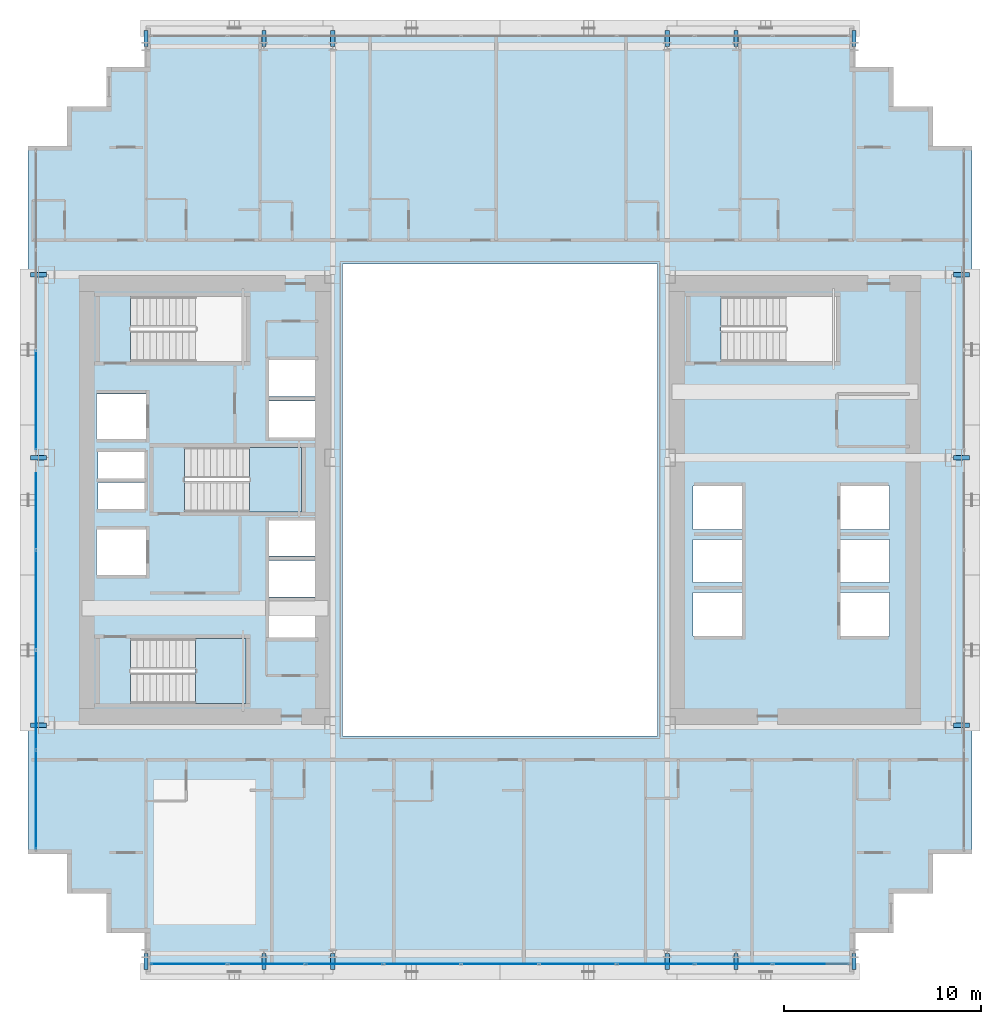
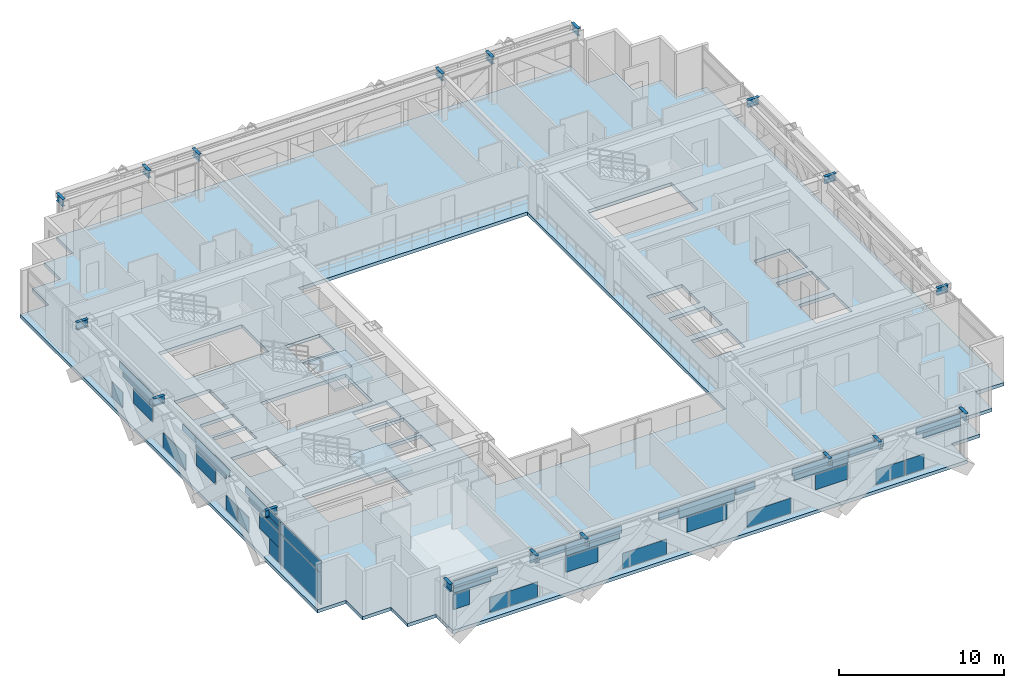
# One storey, part 23 of 35: 40 plates, 18 beams, 3 slabs, 4 elements without a shape of their own.
"""IFC4 building model written with IfcOpenShell, lengths in metres."""

from ifc_helpers import new_model, si_unit, direction, frame, origin, origin_2d, place, context, subcontext, project, spatial, polyline, rectangle, i_section, outline, extrude, source, transform, mapped, material, layer, layer_set, material_profile, profile_set, type_object, element, aggregate, save


model = new_model("IFC4")

# Units and contexts
model_context = context("Model", 3, precision=1e-05, world=origin(), true_north=direction((0.0, 1.0)))
body_context = subcontext(model_context, "Body", "Model", "MODEL_VIEW")
ifc_project = project(units=[si_unit("LENGTHUNIT", "METRE"), si_unit("AREAUNIT", "SQUARE_METRE"), si_unit("VOLUMEUNIT", "CUBIC_METRE"), si_unit("PLANEANGLEUNIT", "RADIAN"), si_unit("MASSUNIT", "GRAM", prefix="KILO")], contexts=[model_context])

# Site, building, storey
site_placement = place(None, origin())
site = spatial("IfcSite", under=ifc_project, at=site_placement, CompositionType="ELEMENT")
building_placement = place(site_placement, origin())
building = spatial("IfcBuilding", under=site, at=building_placement, Name="Ocotamira Hotel", CompositionType="ELEMENT")
storey_placement = place(building_placement, frame((0.0, 0.0, 49.199951171875)))
storey = spatial("IfcBuildingStorey", under=building, at=storey_placement, Name="L11", CompositionType="ELEMENT", Elevation=49.199951171875)

# Beams
ifc_material_1 = material(Name="Steel ASTM A992 Grade 50", Category="steel")
ifc_material_profile = material_profile(ifc_material_1, i_section(OverallWidth=0.2099609375, OverallDepth=0.537109375, WebThickness=0.010986328125, FlangeThickness=0.017333984375, FilletRadius=0.012939453125, at=origin_2d()), Name="W21X68")
ifc_profile_set = profile_set([ifc_material_profile], Name="Steel ASTM A992 Grade 50")
beam_type = type_object("IfcBeamType", Name="BM-SEC-W21X68", PredefinedType="JOIST", material=ifc_profile_set)
shared_shape_1 = source(origin(), body_context, "Body", "SweptSolid", [
    extrude(i_section(OverallWidth=0.2099609375, OverallDepth=0.537109375, WebThickness=0.010986328125, FlangeThickness=0.017333984375, FilletRadius=0.012939453125, at=origin_2d()), origin(), (0.0, 0.0, 1.0), 0.800048828125),
])
for number, where, z_axis, x_axis, name in (
    (1, (14.0, 2.949951171875, 3.08154296875), (0.0, -1.0, 0.0), (1.0, 0.0, 0.0), "L11 South Edge Header X14"),
    (2, (14.0, 49.050048828125, 3.08154296875), (0.0, 1.0, 0.0), (-1.0, 0.0, 0.0), "L11 North Edge Header X14"),
    (3, (20.0, 2.949951171875, 3.08154296875), (0.0, -1.0, 0.0), (1.0, 0.0, 0.0), "L11 South Edge Header X20"),
    (4, (20.0, 49.050048828125, 3.08154296875), (0.0, 1.0, 0.0), (-1.0, 0.0, 0.0), "L11 North Edge Header X20"),
    (5, (23.5, 2.949951171875, 3.08154296875), (0.0, -1.0, 0.0), (1.0, 0.0, 0.0), "L11 South Edge Header X23.5"),
    (6, (23.5, 49.050048828125, 3.08154296875), (0.0, 1.0, 0.0), (-1.0, 0.0, 0.0), "L11 North Edge Header X23.5"),
    (7, (40.5, 2.949951171875, 3.08154296875), (0.0, -1.0, 0.0), (1.0, 0.0, 0.0), "L11 South Edge Header X40.5"),
    (8, (40.5, 49.050048828125, 3.08154296875), (0.0, 1.0, 0.0), (-1.0, 0.0, 0.0), "L11 North Edge Header X40.5"),
    (9, (44.0, 2.949951171875, 3.08154296875), (0.0, -1.0, 0.0), (1.0, 0.0, 0.0), "L11 South Edge Header X44"),
    (10, (44.0, 49.050048828125, 3.08154296875), (0.0, 1.0, 0.0), (-1.0, 0.0, 0.0), "L11 North Edge Header X44"),
    (11, (50.0, 2.949951171875, 3.08154296875), (0.0, -1.0, 0.0), (1.0, 0.0, 0.0), "L11 South Edge Header X50"),
    (12, (50.0, 49.050048828125, 3.08154296875), (0.0, 1.0, 0.0), (-1.0, 0.0, 0.0), "L11 North Edge Header X50"),
    (13, (8.949951171875, 14.550048828125, 3.08154296875), (-1.0, 0.0, 0.0), (0.0, -1.0, 0.0), "L11 West Edge Header Y14.55"),
    (14, (55.050048828125, 14.550048828125, 3.08154296875), (1.0, 0.0, 0.0), (0.0, 1.0, 0.0), "L11 East Edge Header Y14.55"),
    (15, (8.949951171875, 28.14990234375, 3.08154296875), (-1.0, 0.0, 0.0), (0.0, -1.0, 0.0), "L11 West Edge Header Y28.15"),
    (16, (55.050048828125, 28.14990234375, 3.08154296875), (1.0, 0.0, 0.0), (0.0, 1.0, 0.0), "L11 East Edge Header Y28.15"),
    (17, (8.949951171875, 37.449951171875, 3.08154296875), (-1.0, 0.0, 0.0), (0.0, -1.0, 0.0), "L11 West Edge Header Y37.45"),
    (18, (55.050048828125, 37.449951171875, 3.08154296875), (1.0, 0.0, 0.0), (0.0, 1.0, 0.0), "L11 East Edge Header Y37.45"),
):
    element("IfcBeam", number, at=place(storey_placement, frame(where, z_axis=z_axis, x_axis=x_axis)), inside=storey, type_object=beam_type, Name=name, PredefinedType="JOIST", context=body_context, shape_type="MappedRepresentation", body=[
        mapped(shared_shape_1, transform((0.0, 0.0, 0.0), scale=1.0)),
    ])

# Stair, slab
ifc_material_2 = material(Name="Concrete C40/50", Category="concrete")
stair_type = type_object("IfcStairType", Name="ST-CORE-1560", PredefinedType="HALF_TURN_STAIR", material=ifc_material_2)
stair_1_placement = place(storey_placement, origin())
stair_1 = element("IfcStair", 19, at=stair_1_placement, inside=storey, type_object=stair_type, Name="L11 Exit Stair ST-1", PredefinedType="HALF_TURN_STAIR")
ifc_layer_1 = layer(ifc_material_2, 0.199951171875)
ifc_layer_set_1 = layer_set([ifc_layer_1], Name="Concrete C40/50")
slab_type_1 = type_object("IfcSlabType", Name="SLB-LAND-200", PredefinedType="LANDING", material=ifc_layer_set_1)
slab_1_placement = place(storey_placement, frame((0.0, 0.0, 1.60009765625)))
slab_1 = element("IfcSlab", 20, at=slab_1_placement, type_object=slab_type_1, Name="ST-1 landing 1", PredefinedType="LANDING", context=body_context, shape_type="SweptSolid", body=[
    extrude(outline(polyline([(16.530029296875, 15.669921875), (19.090087890625, 15.669921875), (19.090087890625, 18.949951171875), (16.530029296875, 18.949951171875), (16.530029296875, 15.669921875)])), origin(), (0.0, 0.0, 1.0), 0.199951171875),
])
aggregate(stair_1, [slab_1])

stair_2_placement = place(storey_placement, origin())
stair_2 = element("IfcStair", 21, at=stair_2_placement, inside=storey, type_object=stair_type, Name="L11 Exit Stair ST-3", PredefinedType="HALF_TURN_STAIR")
slab_2_placement = place(storey_placement, frame((0.0, 0.0, 1.60009765625)))
slab_2 = element("IfcSlab", 22, at=slab_2_placement, type_object=slab_type_1, Name="ST-3 landing 1", PredefinedType="LANDING", context=body_context, shape_type="SweptSolid", body=[
    extrude(outline(polyline([(19.260009765625, 25.39990234375), (21.919921875, 25.39990234375), (21.919921875, 28.679931640625), (19.260009765625, 28.679931640625), (19.260009765625, 25.39990234375)])), origin(), (0.0, 0.0, 1.0), 0.199951171875),
])
aggregate(stair_2, [slab_2])

# Slab
ifc_layer_2 = layer(ifc_material_2, 0.25)
ifc_layer_set_2 = layer_set([ifc_layer_2], Name="Concrete C40/50")
slab_type_2 = type_object("IfcSlabType", Name="SLB-Z1-250", PredefinedType="FLOOR", material=ifc_layer_set_2)
slab_3_placement = place(storey_placement, frame((0.0, 0.0, -0.25)))
element("IfcSlab", 23, at=slab_3_placement, inside=storey, type_object=slab_type_2, Name="L11 Structural Floor Slab", PredefinedType="FLOOR", context=body_context, shape_type="SweptSolid", body=[
    extrude(outline(polyline([(14.0, 2.0), (50.0, 2.0), (50.0, 4.0), (52.0, 4.0), (52.0, 6.0), (54.0, 6.0), (54.0, 8.0), (56.0, 8.0), (56.0, 44.0), (54.0, 44.0), (54.0, 46.0), (52.0, 46.0), (52.0, 48.0), (50.0, 48.0), (50.0, 50.0), (14.0, 50.0), (14.0, 48.0), (12.0, 48.0), (12.0, 46.0), (10.0, 46.0), (10.0, 44.0), (8.0, 44.0), (8.0, 8.0), (10.0, 8.0), (10.0, 6.0), (12.0, 6.0), (12.0, 4.0), (14.0, 4.0), (14.0, 2.0)]), holes=[polyline([(24.0, 14.0), (40.0, 14.0), (40.0, 38.0), (24.0, 38.0), (24.0, 14.0)]), polyline([(13.22998046875, 15.669921875), (19.090087890625, 15.669921875), (19.090087890625, 18.949951171875), (13.22998046875, 18.949951171875), (13.22998046875, 15.669921875)]), polyline([(13.22998046875, 33.050048828125), (19.090087890625, 33.050048828125), (19.090087890625, 36.330078125), (13.22998046875, 36.330078125), (13.22998046875, 33.050048828125)]), polyline([(15.9599609375, 25.39990234375), (21.919921875, 25.39990234375), (21.919921875, 28.679931640625), (15.9599609375, 28.679931640625), (15.9599609375, 25.39990234375)]), polyline([(43.22998046875, 33.050048828125), (49.090087890625, 33.050048828125), (49.090087890625, 36.330078125), (43.22998046875, 36.330078125), (43.22998046875, 33.050048828125)]), polyline([(49.300048828125, 19.10009765625), (51.800048828125, 19.10009765625), (51.800048828125, 21.300048828125), (49.300048828125, 21.300048828125), (49.300048828125, 19.10009765625)]), polyline([(49.300048828125, 21.800048828125), (51.800048828125, 21.800048828125), (51.800048828125, 24.0), (49.300048828125, 24.0), (49.300048828125, 21.800048828125)]), polyline([(49.300048828125, 24.5), (51.800048828125, 24.5), (51.800048828125, 26.699951171875), (49.300048828125, 26.699951171875), (49.300048828125, 24.5)]), polyline([(41.800048828125, 19.10009765625), (44.300048828125, 19.10009765625), (44.300048828125, 21.300048828125), (41.800048828125, 21.300048828125), (41.800048828125, 19.10009765625)]), polyline([(41.800048828125, 21.800048828125), (44.300048828125, 21.800048828125), (44.300048828125, 24.0), (41.800048828125, 24.0), (41.800048828125, 21.800048828125)]), polyline([(41.800048828125, 24.5), (44.300048828125, 24.5), (44.300048828125, 26.699951171875), (41.800048828125, 26.699951171875), (41.800048828125, 24.5)]), polyline([(20.25, 19.0), (22.659912109375, 19.0), (22.659912109375, 20.85009765625), (20.25, 20.85009765625), (20.25, 19.0)]), polyline([(20.25, 21.080078125), (22.659912109375, 21.080078125), (22.659912109375, 22.929931640625), (20.25, 22.929931640625), (20.25, 21.080078125)]), polyline([(20.25, 23.159912109375), (22.659912109375, 23.159912109375), (22.659912109375, 24.9599609375), (20.25, 24.9599609375), (20.25, 23.159912109375)]), polyline([(20.25, 29.179931640625), (22.659912109375, 29.179931640625), (22.659912109375, 31.030029296875), (20.25, 31.030029296875), (20.25, 29.179931640625)]), polyline([(20.25, 31.260009765625), (22.659912109375, 31.260009765625), (22.659912109375, 33.110107421875), (20.25, 33.110107421875), (20.25, 31.260009765625)]), polyline([(11.5, 22.199951171875), (14.0, 22.199951171875), (14.0, 24.5), (11.5, 24.5), (11.5, 22.199951171875)]), polyline([(11.5, 29.10009765625), (14.0, 29.10009765625), (14.0, 31.39990234375), (11.5, 31.39990234375), (11.5, 29.10009765625)]), polyline([(11.580078125, 25.550048828125), (13.919921875, 25.550048828125), (13.919921875, 26.89990234375), (11.580078125, 26.89990234375), (11.580078125, 25.550048828125)]), polyline([(11.580078125, 27.10009765625), (13.919921875, 27.10009765625), (13.919921875, 28.449951171875), (11.580078125, 28.449951171875), (11.580078125, 27.10009765625)])]), origin(), (0.0, 0.0, 1.0), 0.25),
])

# Curtain wall, plates
ifc_material_3 = material(Name="Anodised pale-metal aluminium and solar glass", Category="aluminium")
ifc_layer_3 = layer(ifc_material_3, 0.179931640625)
ifc_layer_set_3 = layer_set([ifc_layer_3], Name="Anodised pale-metal aluminium and solar glass")
curtain_wall_type = type_object("IfcCurtainWallType", Name="CW-SYS2-Z1", PredefinedType="NOTDEFINED", material=ifc_layer_set_3)
curtain_wall_1_placement = place(storey_placement, origin())
curtain_wall_1 = element("IfcCurtainWall", 24, at=curtain_wall_1_placement, inside=storey, type_object=curtain_wall_type, Name="L11 Curtain Wall CW-2 CW-L11-S1", PredefinedType="NOTDEFINED")
ifc_material_4 = material(Name="Double-silver low-E insulated solar glass", Category="glass")
ifc_layer_4 = layer(ifc_material_4, 0.031982421875)
ifc_layer_set_4 = layer_set([ifc_layer_4], Name="Double-silver low-E insulated solar glass")
plate_type = type_object("IfcPlateType", Name="CWP-VISION-32", PredefinedType="CURTAIN_PANEL", material=ifc_layer_set_4)
shared_shape_2 = source(origin(), body_context, "Body", "SweptSolid", [
    extrude(rectangle(XDim=1.278076171875, YDim=0.031982421875, at=origin_2d()), origin(), (0.0, 0.0, 1.0), 1.11865234375),
])
plate_1_placement = place(storey_placement, frame((17.4765625, 2.419921875, 0.0751953125), z_axis=(0.0, 0.0, 1.0), x_axis=(1.0, 0.0, 0.0)))
plate_1 = element("IfcPlate", 25, at=plate_1_placement, type_object=plate_type, Name="CW-2 panel 1.1.2", PredefinedType="CURTAIN_PANEL", context=body_context, shape_type="MappedRepresentation", body=[
    mapped(shared_shape_2, transform((0.0, 0.0, 0.0), scale=1.0)),
])
plate_2_placement = place(storey_placement, frame((46.5234375, 2.419921875, 0.0751953125), z_axis=(0.0, 0.0, 1.0), x_axis=(1.0, 0.0, 0.0)))
plate_2 = element("IfcPlate", 26, at=plate_2_placement, type_object=plate_type, Name="CW-2 panel 9.1.1", PredefinedType="CURTAIN_PANEL", context=body_context, shape_type="MappedRepresentation", body=[
    mapped(shared_shape_2, transform((0.0, 0.0, 0.0), scale=1.0)),
])
shared_shape_3 = source(origin(), body_context, "Body", "SweptSolid", [
    extrude(rectangle(XDim=2.60888671875, YDim=0.031982421875, at=origin_2d()), origin(), (0.0, 0.0, 1.0), 0.345458984375),
])
plate_3_placement = place(storey_placement, frame((15.58447265625, 2.419921875, 2.3876953125), z_axis=(0.0, 0.0, 1.0), x_axis=(1.0, 0.0, 0.0)))
plate_3 = element("IfcPlate", 27, at=plate_3_placement, type_object=plate_type, Name="CW-2 panel 1.2.1", PredefinedType="CURTAIN_PANEL", context=body_context, shape_type="MappedRepresentation", body=[
    mapped(shared_shape_3, transform((0.0, 0.0, 0.0), scale=1.0)),
])
plate_4_placement = place(storey_placement, frame((48.41552734375, 2.419921875, 2.3876953125), z_axis=(0.0, 0.0, 1.0), x_axis=(1.0, 0.0, 0.0)))
plate_4 = element("IfcPlate", 28, at=plate_4_placement, type_object=plate_type, Name="CW-2 panel 9.2.2", PredefinedType="CURTAIN_PANEL", context=body_context, shape_type="MappedRepresentation", body=[
    mapped(shared_shape_3, transform((0.0, 0.0, 0.0), scale=1.0)),
])
shared_shape_4 = source(origin(), body_context, "Body", "SweptSolid", [
    extrude(rectangle(XDim=3.079833984375, YDim=0.031982421875, at=origin_2d()), origin(), (0.0, 0.0, 1.0), 0.5107421875),
])
plate_5_placement = place(storey_placement, frame((15.820068359375, 2.419921875, 2.76416015625), z_axis=(0.0, 0.0, 1.0), x_axis=(1.0, 0.0, 0.0)))
plate_5 = element("IfcPlate", 29, at=plate_5_placement, type_object=plate_type, Name="CW-2 panel 1.2.2", PredefinedType="CURTAIN_PANEL", context=body_context, shape_type="MappedRepresentation", body=[
    mapped(shared_shape_4, transform((0.0, 0.0, 0.0), scale=1.0)),
])
plate_6_placement = place(storey_placement, frame((48.179931640625, 2.419921875, 2.76416015625), z_axis=(0.0, 0.0, 1.0), x_axis=(1.0, 0.0, 0.0)))
plate_6 = element("IfcPlate", 30, at=plate_6_placement, type_object=plate_type, Name="CW-2 panel 9.2.1", PredefinedType="CURTAIN_PANEL", context=body_context, shape_type="MappedRepresentation", body=[
    mapped(shared_shape_4, transform((0.0, 0.0, 0.0), scale=1.0)),
])
shared_shape_5 = source(origin(), body_context, "Body", "SweptSolid", [
    extrude(rectangle(XDim=1.966796875, YDim=0.031982421875, at=origin_2d()), origin(), (0.0, 0.0, 1.0), 1.11865234375),
])
plate_7_placement = place(storey_placement, frame((19.178955078125, 2.419921875, 0.0751953125), z_axis=(0.0, 0.0, 1.0), x_axis=(1.0, 0.0, 0.0)))
plate_7 = element("IfcPlate", 31, at=plate_7_placement, type_object=plate_type, Name="CW-2 panel 2.1.1", PredefinedType="CURTAIN_PANEL", context=body_context, shape_type="MappedRepresentation", body=[
    mapped(shared_shape_5, transform((0.0, 0.0, 0.0), scale=1.0)),
])
plate_8_placement = place(storey_placement, frame((44.821044921875, 2.419921875, 0.0751953125), z_axis=(0.0, 0.0, 1.0), x_axis=(1.0, 0.0, 0.0)))
plate_8 = element("IfcPlate", 32, at=plate_8_placement, type_object=plate_type, Name="CW-2 panel 8.1.1", PredefinedType="CURTAIN_PANEL", context=body_context, shape_type="MappedRepresentation", body=[
    mapped(shared_shape_5, transform((0.0, 0.0, 0.0), scale=1.0)),
])
shared_shape_6 = source(origin(), body_context, "Body", "SweptSolid", [
    extrude(rectangle(XDim=2.430908203125, YDim=0.031982421875, at=origin_2d()), origin(), (0.0, 0.0, 1.0), 0.5107421875),
])
plate_9_placement = place(storey_placement, frame((20.855712890625, 2.419921875, 2.76416015625), z_axis=(0.0, 0.0, 1.0), x_axis=(1.0, 0.0, 0.0)))
plate_9 = element("IfcPlate", 33, at=plate_9_placement, type_object=plate_type, Name="CW-2 panel 2.2.1", PredefinedType="CURTAIN_PANEL", context=body_context, shape_type="MappedRepresentation", body=[
    mapped(shared_shape_6, transform((0.0, 0.0, 0.0), scale=1.0)),
])
plate_10_placement = place(storey_placement, frame((43.144287109375, 2.419921875, 2.76416015625), z_axis=(0.0, 0.0, 1.0), x_axis=(1.0, 0.0, 0.0)))
plate_10 = element("IfcPlate", 34, at=plate_10_placement, type_object=plate_type, Name="CW-2 panel 8.2.1", PredefinedType="CURTAIN_PANEL", context=body_context, shape_type="MappedRepresentation", body=[
    mapped(shared_shape_6, transform((0.0, 0.0, 0.0), scale=1.0)),
])
shared_shape_7 = source(origin(), body_context, "Body", "SweptSolid", [
    extrude(rectangle(XDim=3.73779296875, YDim=0.031982421875, at=origin_2d()), origin(), (0.0, 0.0, 1.0), 0.376708984375),
])
plate_11_placement = place(storey_placement, frame((24.02001953125, 2.419921875, 2.3876953125), z_axis=(0.0, 0.0, 1.0), x_axis=(1.0, 0.0, 0.0)))
plate_11 = element("IfcPlate", 35, at=plate_11_placement, type_object=plate_type, Name="CW-2 panel 3.2.1", PredefinedType="CURTAIN_PANEL", context=body_context, shape_type="MappedRepresentation", body=[
    mapped(shared_shape_7, transform((0.0, 0.0, 0.0), scale=1.0)),
])
plate_12_placement = place(storey_placement, frame((39.97998046875, 2.419921875, 2.3876953125), z_axis=(0.0, 0.0, 1.0), x_axis=(1.0, 0.0, 0.0)))
plate_12 = element("IfcPlate", 36, at=plate_12_placement, type_object=plate_type, Name="CW-2 panel 7.2.2", PredefinedType="CURTAIN_PANEL", context=body_context, shape_type="MappedRepresentation", body=[
    mapped(shared_shape_7, transform((0.0, 0.0, 0.0), scale=1.0)),
])
shared_shape_8 = source(origin(), body_context, "Body", "SweptSolid", [
    extrude(rectangle(XDim=3.87548828125, YDim=0.031982421875, at=origin_2d()), origin(), (0.0, 0.0, 1.0), 0.5107421875),
])
plate_13_placement = place(storey_placement, frame((24.0888671875, 2.419921875, 2.76416015625), z_axis=(0.0, 0.0, 1.0), x_axis=(1.0, 0.0, 0.0)))
plate_13 = element("IfcPlate", 37, at=plate_13_placement, type_object=plate_type, Name="CW-2 panel 3.2.2", PredefinedType="CURTAIN_PANEL", context=body_context, shape_type="MappedRepresentation", body=[
    mapped(shared_shape_8, transform((0.0, 0.0, 0.0), scale=1.0)),
])
plate_14_placement = place(storey_placement, frame((39.9111328125, 2.419921875, 2.76416015625), z_axis=(0.0, 0.0, 1.0), x_axis=(1.0, 0.0, 0.0)))
plate_14 = element("IfcPlate", 38, at=plate_14_placement, type_object=plate_type, Name="CW-2 panel 7.2.1", PredefinedType="CURTAIN_PANEL", context=body_context, shape_type="MappedRepresentation", body=[
    mapped(shared_shape_8, transform((0.0, 0.0, 0.0), scale=1.0)),
])
shared_shape_9 = source(origin(), body_context, "Body", "SweptSolid", [
    extrude(rectangle(XDim=3.055908203125, YDim=0.031982421875, at=origin_2d()), origin(), (0.0, 0.0, 1.0), 1.11865234375),
])
plate_15_placement = place(storey_placement, frame((27.634521484375, 2.419921875, 0.0751953125), z_axis=(0.0, 0.0, 1.0), x_axis=(1.0, 0.0, 0.0)))
plate_15 = element("IfcPlate", 39, at=plate_15_placement, type_object=plate_type, Name="CW-2 panel 4.1.1", PredefinedType="CURTAIN_PANEL", context=body_context, shape_type="MappedRepresentation", body=[
    mapped(shared_shape_9, transform((0.0, 0.0, 0.0), scale=1.0)),
])
plate_16_placement = place(storey_placement, frame((36.365478515625, 2.419921875, 0.0751953125), z_axis=(0.0, 0.0, 1.0), x_axis=(1.0, 0.0, 0.0)))
plate_16 = element("IfcPlate", 40, at=plate_16_placement, type_object=plate_type, Name="CW-2 panel 6.1.1", PredefinedType="CURTAIN_PANEL", context=body_context, shape_type="MappedRepresentation", body=[
    mapped(shared_shape_9, transform((0.0, 0.0, 0.0), scale=1.0)),
])
shared_shape_10 = source(origin(), body_context, "Body", "SweptSolid", [
    extrude(rectangle(XDim=1.34228515625, YDim=0.031982421875, at=origin_2d()), origin(), (0.0, 0.0, 1.0), 0.5107421875),
])
plate_17_placement = place(storey_placement, frame((29.31103515625, 2.419921875, 2.76416015625), z_axis=(0.0, 0.0, 1.0), x_axis=(1.0, 0.0, 0.0)))
plate_17 = element("IfcPlate", 41, at=plate_17_placement, type_object=plate_type, Name="CW-2 panel 4.2.1", PredefinedType="CURTAIN_PANEL", context=body_context, shape_type="MappedRepresentation", body=[
    mapped(shared_shape_10, transform((0.0, 0.0, 0.0), scale=1.0)),
])
plate_18_placement = place(storey_placement, frame((34.68896484375, 2.419921875, 2.76416015625), z_axis=(0.0, 0.0, 1.0), x_axis=(1.0, 0.0, 0.0)))
plate_18 = element("IfcPlate", 42, at=plate_18_placement, type_object=plate_type, Name="CW-2 panel 6.2.1", PredefinedType="CURTAIN_PANEL", context=body_context, shape_type="MappedRepresentation", body=[
    mapped(shared_shape_10, transform((0.0, 0.0, 0.0), scale=1.0)),
])
shared_shape_11 = source(origin(), body_context, "Body", "SweptSolid", [
    extrude(rectangle(XDim=3.87548828125, YDim=0.031982421875, at=origin_2d()), origin(), (0.0, 0.0, 1.0), 0.887451171875),
])
plate_19_placement = place(storey_placement, frame((32.0, 2.419921875, 2.3876953125), z_axis=(0.0, 0.0, 1.0), x_axis=(1.0, 0.0, 0.0)))
plate_19 = element("IfcPlate", 43, at=plate_19_placement, type_object=plate_type, Name="CW-2 panel 5.2", PredefinedType="CURTAIN_PANEL", context=body_context, shape_type="MappedRepresentation", body=[
    mapped(shared_shape_11, transform((0.0, 0.0, 0.0), scale=1.0)),
])

curtain_wall_2_placement = place(storey_placement, origin())
curtain_wall_2 = element("IfcCurtainWall", 44, at=curtain_wall_2_placement, inside=storey, type_object=curtain_wall_type, Name="L11 Curtain Wall CW-2 CW-L11-W", PredefinedType="NOTDEFINED")
shared_shape_12 = source(origin(), body_context, "Body", "SweptSolid", [
    extrude(rectangle(XDim=4.9658203125, YDim=0.031982421875, at=origin_2d()), origin(), (0.0, 0.0, 1.0), 2.237548828125),
])
plate_20_placement = place(storey_placement, frame((8.419921875, 10.762939453125, 0.0751953125), z_axis=(0.0, 0.0, 1.0), x_axis=(0.0, 1.0, 0.0)))
plate_20 = element("IfcPlate", 45, at=plate_20_placement, type_object=plate_type, Name="CW-2 panel 1.1", PredefinedType="CURTAIN_PANEL", context=body_context, shape_type="MappedRepresentation", body=[
    mapped(shared_shape_12, transform((0.0, 0.0, 0.0), scale=1.0)),
])
shared_shape_13 = source(origin(), body_context, "Body", "SweptSolid", [
    extrude(rectangle(XDim=4.9658203125, YDim=0.031982421875, at=origin_2d()), origin(), (0.0, 0.0, 1.0), 0.887451171875),
])
plate_21_placement = place(storey_placement, frame((8.419921875, 10.762939453125, 2.3876953125), z_axis=(0.0, 0.0, 1.0), x_axis=(0.0, 1.0, 0.0)))
plate_21 = element("IfcPlate", 46, at=plate_21_placement, type_object=plate_type, Name="CW-2 panel 1.2", PredefinedType="CURTAIN_PANEL", context=body_context, shape_type="MappedRepresentation", body=[
    mapped(shared_shape_13, transform((0.0, 0.0, 0.0), scale=1.0)),
])
shared_shape_14 = source(origin(), body_context, "Body", "SweptSolid", [
    extrude(rectangle(XDim=1.177978515625, YDim=0.031982421875, at=origin_2d()), origin(), (0.0, 0.0, 1.0), 1.11865234375),
])
plate_22_placement = place(storey_placement, frame((8.419921875, 13.914794921875, 0.0751953125), z_axis=(0.0, 0.0, 1.0), x_axis=(0.0, 1.0, 0.0)))
plate_22 = element("IfcPlate", 47, at=plate_22_placement, type_object=plate_type, Name="CW-2 panel 2.1.1", PredefinedType="CURTAIN_PANEL", context=body_context, shape_type="MappedRepresentation", body=[
    mapped(shared_shape_14, transform((0.0, 0.0, 0.0), scale=1.0)),
])
shared_shape_15 = source(origin(), body_context, "Body", "SweptSolid", [
    extrude(rectangle(XDim=1.330078125, YDim=0.031982421875, at=origin_2d()), origin(), (0.0, 0.0, 1.0), 1.11865234375),
])
plate_23_placement = place(storey_placement, frame((8.419921875, 17.66650390625, 0.0751953125), z_axis=(0.0, 0.0, 1.0), x_axis=(0.0, 1.0, 0.0)))
plate_23 = element("IfcPlate", 48, at=plate_23_placement, type_object=plate_type, Name="CW-2 panel 2.1.3", PredefinedType="CURTAIN_PANEL", context=body_context, shape_type="MappedRepresentation", body=[
    mapped(shared_shape_15, transform((0.0, 0.0, 0.0), scale=1.0)),
])
shared_shape_16 = source(origin(), body_context, "Body", "SweptSolid", [
    extrude(rectangle(XDim=3.629638671875, YDim=0.031982421875, at=origin_2d()), origin(), (0.0, 0.0, 1.0), 0.367919921875),
])
plate_24_placement = place(storey_placement, frame((8.419921875, 15.140625, 2.3876953125), z_axis=(0.0, 0.0, 1.0), x_axis=(0.0, 1.0, 0.0)))
plate_24 = element("IfcPlate", 49, at=plate_24_placement, type_object=plate_type, Name="CW-2 panel 2.2.1", PredefinedType="CURTAIN_PANEL", context=body_context, shape_type="MappedRepresentation", body=[
    mapped(shared_shape_16, transform((0.0, 0.0, 0.0), scale=1.0)),
])
shared_shape_17 = source(origin(), body_context, "Body", "SweptSolid", [
    extrude(rectangle(XDim=4.05615234375, YDim=0.031982421875, at=origin_2d()), origin(), (0.0, 0.0, 1.0), 0.485107421875),
])
plate_25_placement = place(storey_placement, frame((8.419921875, 15.353759765625, 2.7900390625), z_axis=(0.0, 0.0, 1.0), x_axis=(0.0, 1.0, 0.0)))
plate_25 = element("IfcPlate", 50, at=plate_25_placement, type_object=plate_type, Name="CW-2 panel 2.2.2", PredefinedType="CURTAIN_PANEL", context=body_context, shape_type="MappedRepresentation", body=[
    mapped(shared_shape_17, transform((0.0, 0.0, 0.0), scale=1.0)),
])
shared_shape_18 = source(origin(), body_context, "Body", "SweptSolid", [
    extrude(rectangle(XDim=1.3203125, YDim=0.031982421875, at=origin_2d()), origin(), (0.0, 0.0, 1.0), 1.11865234375),
])
plate_26_placement = place(storey_placement, frame((8.419921875, 19.071533203125, 0.0751953125), z_axis=(0.0, 0.0, 1.0), x_axis=(0.0, 1.0, 0.0)))
plate_26 = element("IfcPlate", 51, at=plate_26_placement, type_object=plate_type, Name="CW-2 panel 3.1.1", PredefinedType="CURTAIN_PANEL", context=body_context, shape_type="MappedRepresentation", body=[
    mapped(shared_shape_18, transform((0.0, 0.0, 0.0), scale=1.0)),
])
plate_27_placement = place(storey_placement, frame((8.419921875, 32.928466796875, 0.0751953125), z_axis=(0.0, 0.0, 1.0), x_axis=(0.0, 1.0, 0.0)))
plate_27 = element("IfcPlate", 52, at=plate_27_placement, type_object=plate_type, Name="CW-2 panel 5.1.2", PredefinedType="CURTAIN_PANEL", context=body_context, shape_type="MappedRepresentation", body=[
    mapped(shared_shape_18, transform((0.0, 0.0, 0.0), scale=1.0)),
])
shared_shape_19 = source(origin(), body_context, "Body", "SweptSolid", [
    extrude(rectangle(XDim=4.06591796875, YDim=0.031982421875, at=origin_2d()), origin(), (0.0, 0.0, 1.0), 0.485107421875),
])
plate_28_placement = place(storey_placement, frame((8.419921875, 21.38427734375, 2.7900390625), z_axis=(0.0, 0.0, 1.0), x_axis=(0.0, 1.0, 0.0)))
plate_28 = element("IfcPlate", 53, at=plate_28_placement, type_object=plate_type, Name="CW-2 panel 3.2.1", PredefinedType="CURTAIN_PANEL", context=body_context, shape_type="MappedRepresentation", body=[
    mapped(shared_shape_19, transform((0.0, 0.0, 0.0), scale=1.0)),
])
plate_29_placement = place(storey_placement, frame((8.419921875, 30.61572265625, 2.7900390625), z_axis=(0.0, 0.0, 1.0), x_axis=(0.0, 1.0, 0.0)))
plate_29 = element("IfcPlate", 54, at=plate_29_placement, type_object=plate_type, Name="CW-2 panel 5.2.2", PredefinedType="CURTAIN_PANEL", context=body_context, shape_type="MappedRepresentation", body=[
    mapped(shared_shape_19, transform((0.0, 0.0, 0.0), scale=1.0)),
])
shared_shape_20 = source(origin(), body_context, "Body", "SweptSolid", [
    extrude(rectangle(XDim=3.639404296875, YDim=0.031982421875, at=origin_2d()), origin(), (0.0, 0.0, 1.0), 0.367919921875),
])
plate_30_placement = place(storey_placement, frame((8.419921875, 21.597412109375, 2.3876953125), z_axis=(0.0, 0.0, 1.0), x_axis=(0.0, 1.0, 0.0)))
plate_30 = element("IfcPlate", 55, at=plate_30_placement, type_object=plate_type, Name="CW-2 panel 3.2.2", PredefinedType="CURTAIN_PANEL", context=body_context, shape_type="MappedRepresentation", body=[
    mapped(shared_shape_20, transform((0.0, 0.0, 0.0), scale=1.0)),
])
plate_31_placement = place(storey_placement, frame((8.419921875, 30.402587890625, 2.3876953125), z_axis=(0.0, 0.0, 1.0), x_axis=(0.0, 1.0, 0.0)))
plate_31 = element("IfcPlate", 56, at=plate_31_placement, type_object=plate_type, Name="CW-2 panel 5.2.1", PredefinedType="CURTAIN_PANEL", context=body_context, shape_type="MappedRepresentation", body=[
    mapped(shared_shape_20, transform((0.0, 0.0, 0.0), scale=1.0)),
])
shared_shape_21 = source(origin(), body_context, "Body", "SweptSolid", [
    extrude(rectangle(XDim=2.730224609375, YDim=0.031982421875, at=origin_2d()), origin(), (0.0, 0.0, 1.0), 1.11865234375),
])
plate_32_placement = place(storey_placement, frame((8.419921875, 26.0, 0.0751953125), z_axis=(0.0, 0.0, 1.0), x_axis=(0.0, 1.0, 0.0)))
plate_32 = element("IfcPlate", 57, at=plate_32_placement, type_object=plate_type, Name="CW-2 panel 4.1.1", PredefinedType="CURTAIN_PANEL", context=body_context, shape_type="MappedRepresentation", body=[
    mapped(shared_shape_21, transform((0.0, 0.0, 0.0), scale=1.0)),
])
shared_shape_22 = source(origin(), body_context, "Body", "SweptSolid", [
    extrude(rectangle(XDim=1.518310546875, YDim=0.031982421875, at=origin_2d()), origin(), (0.0, 0.0, 1.0), 0.485107421875),
])
plate_33_placement = place(storey_placement, frame((8.419921875, 24.256103515625, 2.7900390625), z_axis=(0.0, 0.0, 1.0), x_axis=(0.0, 1.0, 0.0)))
plate_33 = element("IfcPlate", 58, at=plate_33_placement, type_object=plate_type, Name="CW-2 panel 4.2.1", PredefinedType="CURTAIN_PANEL", context=body_context, shape_type="MappedRepresentation", body=[
    mapped(shared_shape_22, transform((0.0, 0.0, 0.0), scale=1.0)),
])

# Plate
shared_shape_23 = source(origin(), body_context, "Body", "SweptSolid", [
    extrude(rectangle(XDim=1.11669921875, YDim=0.031982421875, at=origin_2d()), origin(), (0.0, 0.0, 1.0), 1.118896484375),
])
plate_34_placement = place(storey_placement, frame((14.83837890625, 2.419921875, 1.19384765625), z_axis=(0.0, 0.0, 1.0), x_axis=(1.0, 0.0, 0.0)))
plate_34 = element("IfcPlate", 59, at=plate_34_placement, type_object=plate_type, Name="CW-2 panel 1.1.1", PredefinedType="CURTAIN_PANEL", context=body_context, shape_type="MappedRepresentation", body=[
    mapped(shared_shape_23, transform((0.0, 0.0, 0.0), scale=1.0)),
])

shared_shape_24 = source(origin(), body_context, "Body", "SweptSolid", [
    extrude(rectangle(XDim=2.24560546875, YDim=0.031982421875, at=origin_2d()), origin(), (0.0, 0.0, 1.0), 1.118896484375),
])
plate_35_placement = place(storey_placement, frame((23.27392578125, 2.419921875, 1.19384765625), z_axis=(0.0, 0.0, 1.0), x_axis=(1.0, 0.0, 0.0)))
plate_35 = element("IfcPlate", 60, at=plate_35_placement, type_object=plate_type, Name="CW-2 panel 3.1.1", PredefinedType="CURTAIN_PANEL", context=body_context, shape_type="MappedRepresentation", body=[
    mapped(shared_shape_24, transform((0.0, 0.0, 0.0), scale=1.0)),
])

plate_36_placement = place(storey_placement, frame((40.72607421875, 2.419921875, 1.19384765625), z_axis=(0.0, 0.0, 1.0), x_axis=(1.0, 0.0, 0.0)))
plate_36 = element("IfcPlate", 61, at=plate_36_placement, type_object=plate_type, Name="CW-2 panel 7.1.1", PredefinedType="CURTAIN_PANEL", context=body_context, shape_type="MappedRepresentation", body=[
    mapped(shared_shape_24, transform((0.0, 0.0, 0.0), scale=1.0)),
])

shared_shape_25 = source(origin(), body_context, "Body", "SweptSolid", [
    extrude(rectangle(XDim=2.793701171875, YDim=0.031982421875, at=origin_2d()), origin(), (0.0, 0.0, 1.0), 1.118896484375),
])
plate_37_placement = place(storey_placement, frame((32.0, 2.419921875, 1.19384765625), z_axis=(0.0, 0.0, 1.0), x_axis=(1.0, 0.0, 0.0)))
plate_37 = element("IfcPlate", 62, at=plate_37_placement, type_object=plate_type, Name="CW-2 panel 5.1.1", PredefinedType="CURTAIN_PANEL", context=body_context, shape_type="MappedRepresentation", body=[
    mapped(shared_shape_25, transform((0.0, 0.0, 0.0), scale=1.0)),
])

aggregate(curtain_wall_1, [plate_34, plate_1, plate_3, plate_5, plate_7, plate_9, plate_35, plate_11, plate_13, plate_15, plate_17, plate_37, plate_19, plate_16, plate_18, plate_36, plate_14, plate_12, plate_8, plate_10, plate_2, plate_6, plate_4])

shared_shape_26 = source(origin(), body_context, "Body", "SweptSolid", [
    extrude(rectangle(XDim=2.364013671875, YDim=0.031982421875, at=origin_2d()), origin(), (0.0, 0.0, 1.0), 1.118896484375),
])
plate_38_placement = place(storey_placement, frame((8.419921875, 14.5078125, 1.19384765625), z_axis=(0.0, 0.0, 1.0), x_axis=(0.0, 1.0, 0.0)))
plate_38 = element("IfcPlate", 63, at=plate_38_placement, type_object=plate_type, Name="CW-2 panel 2.1.2", PredefinedType="CURTAIN_PANEL", context=body_context, shape_type="MappedRepresentation", body=[
    mapped(shared_shape_26, transform((0.0, 0.0, 0.0), scale=1.0)),
])

shared_shape_27 = source(origin(), body_context, "Body", "SweptSolid", [
    extrude(rectangle(XDim=2.27978515625, YDim=0.031982421875, at=origin_2d()), origin(), (0.0, 0.0, 1.0), 1.118896484375),
])
plate_39_placement = place(storey_placement, frame((8.419921875, 22.183349609375, 1.19384765625), z_axis=(0.0, 0.0, 1.0), x_axis=(0.0, 1.0, 0.0)))
plate_39 = element("IfcPlate", 64, at=plate_39_placement, type_object=plate_type, Name="CW-2 panel 3.1.2", PredefinedType="CURTAIN_PANEL", context=body_context, shape_type="MappedRepresentation", body=[
    mapped(shared_shape_27, transform((0.0, 0.0, 0.0), scale=1.0)),
])

plate_40_placement = place(storey_placement, frame((8.419921875, 29.816650390625, 1.19384765625), z_axis=(0.0, 0.0, 1.0), x_axis=(0.0, 1.0, 0.0)))
plate_40 = element("IfcPlate", 65, at=plate_40_placement, type_object=plate_type, Name="CW-2 panel 5.1.1", PredefinedType="CURTAIN_PANEL", context=body_context, shape_type="MappedRepresentation", body=[
    mapped(shared_shape_27, transform((0.0, 0.0, 0.0), scale=1.0)),
])

aggregate(curtain_wall_2, [plate_20, plate_21, plate_22, plate_38, plate_23, plate_24, plate_25, plate_26, plate_39, plate_28, plate_30, plate_32, plate_33, plate_40, plate_27, plate_31, plate_29])

save(model, "model.ifc")
